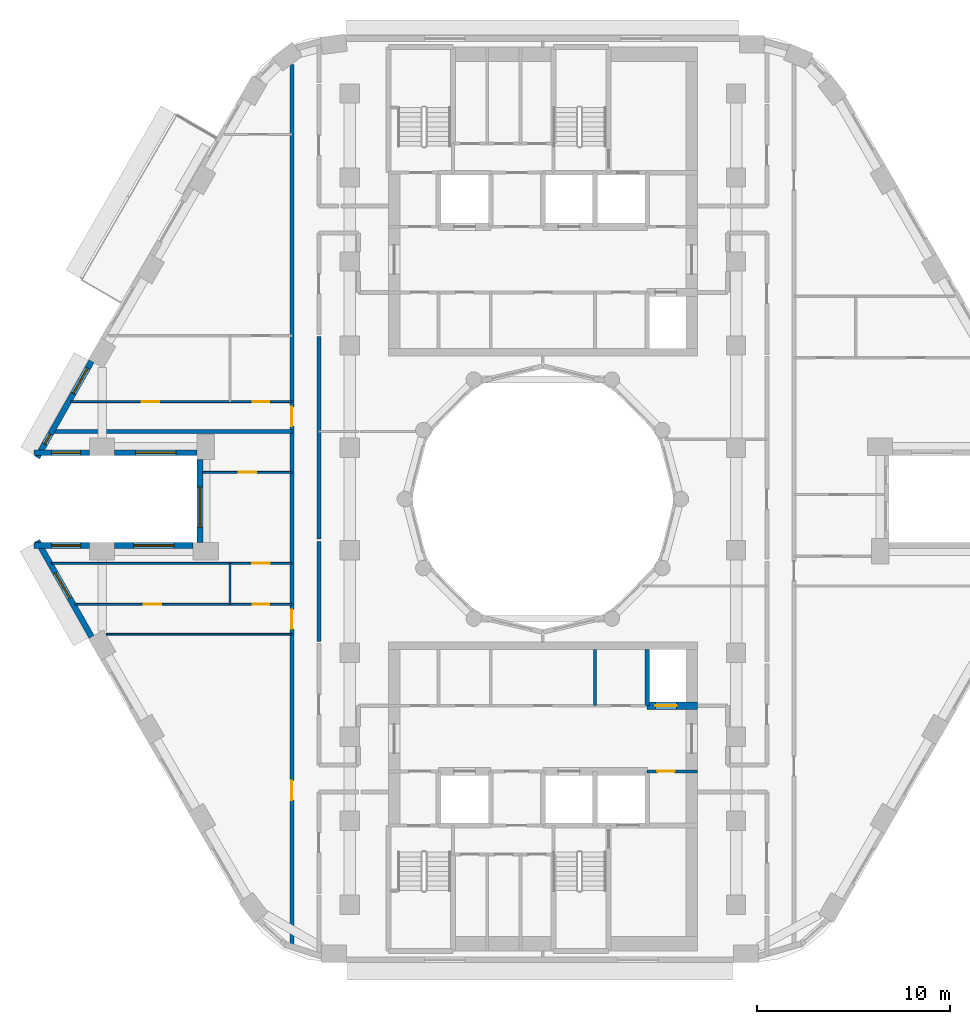
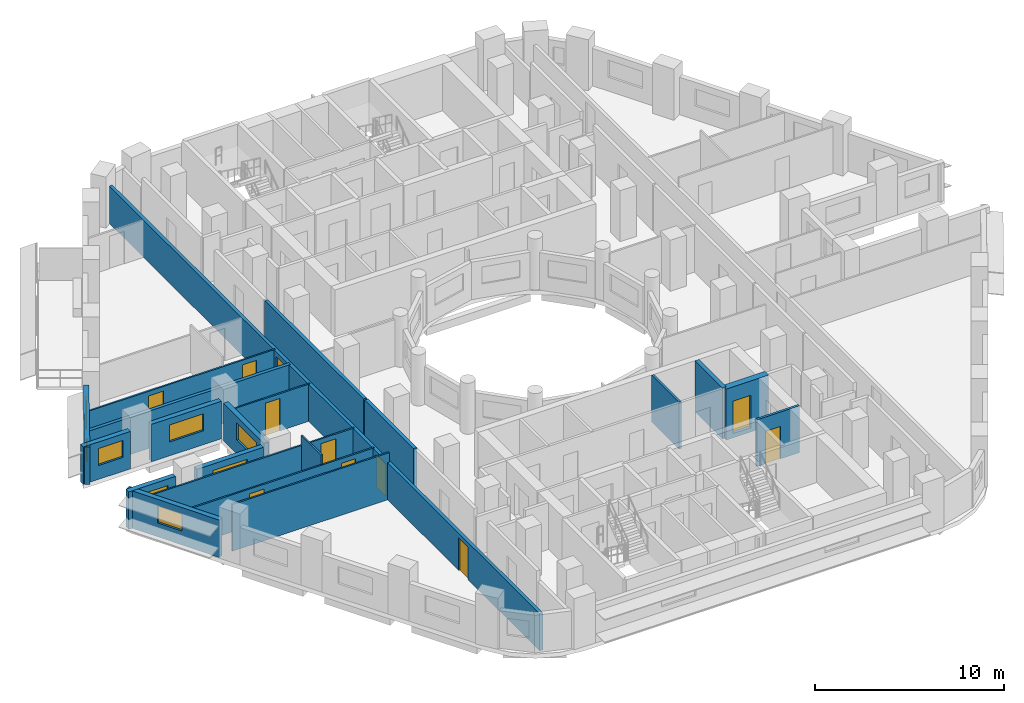
# One storey, part 4 of 13: 21 walls, 11 doors, 8 windows, 19 openings.
"""IFC4 building model written with IfcOpenShell, lengths in metres."""

import ifcopenshell
import ifcopenshell.guid

model = None  # the IFC model being written
_history = None  # IfcOwnerHistory: only IFC2X3 demands one
_inside = {}  # id of a spatial element -> (the spatial element, [elements in it])
_under = {}  # id of a project, library or spatial element -> (it, [spatial elements below it])
_declared = {}  # id of a project -> (the project, [libraries it declares])
_typed = {}  # id of a type object -> (the type object, [elements of that type])
_made_of = {}  # id of a material, layer set ... -> (it, [elements and type objects made of it])


def new_model(schema):
    """Start an empty IFC model of exactly this schema.

    Asked for "IFC4X3", IfcOpenShell would pick the latest addendum, in which some entities
    have other attributes; the version numbers below select the first issue.
    IFC2X3 requires an IfcOwnerHistory on every rooted entity: one is made here for all.
    """
    global model, _history
    if schema == "IFC4X3":
        model = ifcopenshell.file(schema_version=(4, 3, 0, 0))
    else:
        model = ifcopenshell.file(schema=schema)
    _inside.clear()
    _under.clear()
    _declared.clear()
    _typed.clear()
    _made_of.clear()
    _history = None
    if model.schema == "IFC2X3":
        org = make("IfcOrganization", Name="unknown")
        user = make(
            "IfcPersonAndOrganization",
            ThePerson=make("IfcPerson", FamilyName="unknown"),
            TheOrganization=org,
        )
        app = make(
            "IfcApplication",
            ApplicationDeveloper=org,
            Version="unknown",
            ApplicationFullName="unknown",
            ApplicationIdentifier="unknown",
        )
        _history = make(
            "IfcOwnerHistory",
            OwningUser=user,
            OwningApplication=app,
            ChangeAction="ADDED",
            CreationDate=0,
        )
    return model


def make(cls, **values):
    """One entity of the class cls with the attributes given. An attribute that is None is left unset."""
    return model.create_entity(
        cls, **{name: value for name, value in values.items() if value is not None}
    )


def rooted(cls, **values):
    """An entity with a GlobalId (a new one), such as an element, a storey or a relation."""
    return make(cls, GlobalId=ifcopenshell.guid.new(), OwnerHistory=_history, **values)


def si_unit(unit_type, name, prefix=None):
    """IfcSIUnit, for example si_unit("LENGTHUNIT", "METRE", prefix="MILLI")."""
    return make("IfcSIUnit", UnitType=unit_type, Prefix=prefix, Name=name)


def assignment(units):
    """IfcUnitAssignment: the units of a project."""
    return None if units is None else make("IfcUnitAssignment", Units=units)


def point(xyz):
    """IfcCartesianPoint."""
    return None if xyz is None else make("IfcCartesianPoint", Coordinates=xyz)


def direction(xyz):
    """IfcDirection."""
    return None if xyz is None else make("IfcDirection", DirectionRatios=xyz)


def frame(location, z_axis=None, x_axis=None):
    """IfcAxis2Placement3D, a coordinate frame: its origin and axes. An axis left out is left unset."""
    return make(
        "IfcAxis2Placement3D",
        Location=point(location),
        Axis=direction(z_axis),
        RefDirection=direction(x_axis),
    )


def frame_2d(location, x_axis=None):
    """IfcAxis2Placement2D, a coordinate frame in the plane: its origin and x axis."""
    return make(
        "IfcAxis2Placement2D", Location=point(location), RefDirection=direction(x_axis)
    )


def origin():
    """The frame at (0, 0, 0) with its axes left unset."""
    return frame((0.0, 0.0, 0.0))


def place(relative_to, where):
    """IfcLocalPlacement: puts the frame where relative to a parent placement (None: the world)."""
    return make(
        "IfcLocalPlacement", PlacementRelTo=relative_to, RelativePlacement=where
    )


def context(
    kind, dimensions, precision=None, world=None, true_north=None, identifier=None
):
    """IfcGeometricRepresentationContext, for example the 3D "Model" context."""
    return make(
        "IfcGeometricRepresentationContext",
        ContextIdentifier=identifier,
        ContextType=kind,
        CoordinateSpaceDimension=dimensions,
        Precision=precision,
        WorldCoordinateSystem=world,
        TrueNorth=true_north,
    )


def subcontext(parent, identifier, kind, view, scale=None):
    """IfcGeometricRepresentationSubContext, for example "Body" below "Model"."""
    return make(
        "IfcGeometricRepresentationSubContext",
        ContextIdentifier=identifier,
        ContextType=kind,
        ParentContext=parent,
        TargetScale=scale,
        TargetView=view,
    )


def project(units=None, contexts=None):
    """IfcProject with its units and contexts."""
    return rooted(
        "IfcProject",
        Name="project",
        RepresentationContexts=contexts,
        UnitsInContext=assignment(units),
    )


def spatial(cls, under=None, at=None, **own):
    """A site, building, storey or space (cls), placed at a placement, below another one or the project."""
    s = rooted(cls, ObjectPlacement=at, **own)
    if under is not None:
        _under.setdefault(under.id(), (under, []))[1].append(s)
    return s


def profile(cls, at=None, kind="AREA", **sizes):
    """A parametric profile (cls). Its sizes go by their IFC names, for example OverallWidth=200.0."""
    return make(cls, ProfileType=kind, Position=at, **sizes)


def rectangle(**sizes):
    """IfcRectangleProfileDef."""
    return profile("IfcRectangleProfileDef", **sizes)


def extrude(swept, where, along, depth):
    """IfcExtrudedAreaSolid: the profile swept, set in the frame where, extruded along a direction by depth."""
    return make(
        "IfcExtrudedAreaSolid",
        SweptArea=swept,
        Position=where,
        ExtrudedDirection=direction(along),
        Depth=depth,
    )


def shape(context_of_items, identifier, shape_type, items):
    """IfcShapeRepresentation: the items that make up one representation, for example the "Body"."""
    return make(
        "IfcShapeRepresentation",
        ContextOfItems=context_of_items,
        RepresentationIdentifier=identifier,
        RepresentationType=shape_type,
        Items=items,
    )


def material(Name=None, Category=None):
    """IfcMaterial."""
    return make("IfcMaterial", Name=Name, Category=Category)


def layer(
    of_material, thickness, ventilated=None, Name=None, Category=None, Priority=None
):
    """IfcMaterialLayer: one layer of a wall or slab, of a material (None: an air gap)."""
    return make(
        "IfcMaterialLayer",
        Material=of_material,
        LayerThickness=thickness,
        IsVentilated=ventilated,
        Name=Name,
        Category=Category,
        Priority=Priority,
    )


def layer_set(layers, Name=None):
    """IfcMaterialLayerSet."""
    return make("IfcMaterialLayerSet", MaterialLayers=layers, LayerSetName=Name)


def made_of(thing, what):
    """Note that an element or type object is made of a material, layer set ...; save() writes the relation."""
    if what is not None:
        _made_of.setdefault(what.id(), (what, []))[1].append(thing)
    return thing


def type_object(cls, material=None, **own):
    """A type object (cls), such as IfcWallType, which elements share."""
    return made_of(rooted(cls, **own), material)


def element(
    cls,
    number,
    at=None,
    inside=None,
    cuts=None,
    type_object=None,
    material=None,
    context=None,
    identifier="Body",
    shape_type=None,
    held_by="IfcProductDefinitionShape",
    body=None,
    shapes=None,
    **own,
):
    """One element of the class cls, such as IfcWall. Its Tag is "e" and its number.

    at: its placement. inside: the storey or other place that contains it. cuts: it is an
    opening in that element (IfcRelVoidsElement). A single representation is given by context,
    identifier, shape_type and body (its items); several are given by shapes. held_by: the class
    of the entity that holds the representations. save() writes the other relations.
    """
    e = rooted(cls, Tag="e%d" % number, ObjectPlacement=at, **own)
    if body is not None:
        shapes = [shape(context, identifier, shape_type, body)]
    if shapes is not None:
        e.Representation = make(held_by, Representations=shapes)
    if inside is not None:
        _inside.setdefault(inside.id(), (inside, []))[1].append(e)
    if cuts is not None:
        rooted(
            "IfcRelVoidsElement", RelatingBuildingElement=cuts, RelatedOpeningElement=e
        )
    if type_object is not None:
        _typed.setdefault(type_object.id(), (type_object, []))[1].append(e)
    return made_of(e, material)


def fill(opening, filler):
    """IfcRelFillsElement: the door or window that sits in an opening."""
    return rooted(
        "IfcRelFillsElement",
        RelatingOpeningElement=opening,
        RelatedBuildingElement=filler,
    )


def aggregate(whole, parts):
    """IfcRelAggregates: a whole, such as a stair, and the parts it consists of."""
    return rooted("IfcRelAggregates", RelatingObject=whole, RelatedObjects=parts)


def save(model, path):
    """Write the relations noted so far, then the file.

    IfcRelAggregates (storeys below a building ...), IfcRelContainedInSpatialStructure (elements
    in a storey), IfcRelDefinesByType, IfcRelAssociatesMaterial and IfcRelDeclares: one each for
    every whole, place, type object, material and project.
    """
    for whole, parts in _under.values():
        aggregate(whole, parts)
    for where, things in _inside.values():
        rooted(
            "IfcRelContainedInSpatialStructure",
            RelatedElements=things,
            RelatingStructure=where,
        )
    for kind, things in _typed.values():
        rooted("IfcRelDefinesByType", RelatedObjects=things, RelatingType=kind)
    for what, things in _made_of.values():
        rooted("IfcRelAssociatesMaterial", RelatedObjects=things, RelatingMaterial=what)
    for by, libraries in _declared.values():
        rooted("IfcRelDeclares", RelatingContext=by, RelatedDefinitions=libraries)
    model.write(path)


model = new_model("IFC4")

# Units and contexts
model_context = context("Model", 3, precision=1e-05, world=origin(), true_north=direction((0.0, 1.0)))
body_context = subcontext(model_context, "Body", "Model", "MODEL_VIEW")
ifc_project = project(units=[si_unit("LENGTHUNIT", "METRE"), si_unit("AREAUNIT", "SQUARE_METRE"), si_unit("VOLUMEUNIT", "CUBIC_METRE"), si_unit("PLANEANGLEUNIT", "RADIAN"), si_unit("MASSUNIT", "GRAM", prefix="KILO")], contexts=[model_context])

# Site, building, storey
site_placement = place(None, origin())
site = spatial("IfcSite", under=ifc_project, at=site_placement, CompositionType="ELEMENT")
building_placement = place(site_placement, origin())
building = spatial("IfcBuilding", under=site, at=building_placement, Name="Nakaniwa Court", CompositionType="ELEMENT")
storey_placement = place(building_placement, frame((0.0, 0.0, 140.39990234375)))
storey = spatial("IfcBuildingStorey", under=building, at=storey_placement, Name="L36", CompositionType="ELEMENT", Elevation=140.39990234375)

# Walls
ifc_material_1 = material(Name="Acoustic double stud partition")
ifc_layer_1 = layer(ifc_material_1, 0.199951171875)
ifc_layer_set_1 = layer_set([ifc_layer_1], Name="Acoustic double stud partition")
wall_type_1 = type_object("IfcWallType", Name="Acoustic double stud partition 200", PredefinedType="PARTITIONING", material=ifc_layer_set_1)
wall_1_placement = place(storey_placement, frame((68.39990234375, 72.627197265625, 0.0), z_axis=(0.0, 0.0, 1.0), x_axis=(0.0, 1.0, 0.0)))
element("IfcWall", 1, at=wall_1_placement, inside=storey, type_object=wall_type_1, Name="Partition PW-103", PredefinedType="PARTITIONING", context=body_context, shape_type="SweptSolid", body=[
    extrude(rectangle(XDim=5.185546875, YDim=0.199951171875, at=frame_2d((2.5927734375, 0.0))), origin(), (0.0, 0.0, 1.0), 3.025146484375),
])
wall_2_placement = place(storey_placement, frame((68.39990234375, 77.92724609375, 0.0), z_axis=(0.0, 0.0, 1.0), x_axis=(0.0, 1.0, 0.0)))
element("IfcWall", 2, at=wall_2_placement, inside=storey, type_object=wall_type_1, Name="Partition PW-104", PredefinedType="PARTITIONING", context=body_context, shape_type="SweptSolid", body=[
    extrude(rectangle(XDim=10.485595703125, YDim=0.199951171875, at=frame_2d((5.24267578125, 0.0))), origin(), (0.0, 0.0, 1.0), 3.025146484375),
])

# Wall, openings, doors
wall_3_placement = place(storey_placement, frame((67.0, 56.833251953125, 0.0), z_axis=(0.0, 0.0, 1.0), x_axis=(0.0, 1.0, 0.0)))
wall_3 = element("IfcWall", 3, at=wall_3_placement, inside=storey, type_object=wall_type_1, Name="Partition PW-108", PredefinedType="PARTITIONING", context=body_context, shape_type="SweptSolid", body=[
    extrude(rectangle(XDim=45.660888671875, YDim=0.199951171875, at=frame_2d((22.83056640625, 0.0))), origin(), (0.0, 0.0, 1.0), 2.405029296875),
])
opening_1_placement = place(wall_3_placement, frame((7.583984375, 0.0, 0.0)))
opening_1 = element("IfcOpeningElement", 4, at=opening_1_placement, cuts=wall_3, Name="Opening D-02-06", PredefinedType="OPENING", context=body_context, shape_type="SweptSolid", body=[
    extrude(rectangle(XDim=1.0, YDim=2.10009765625, at=frame_2d((0.5, 1.050048828125))), frame((0.0, 0.10986328125, 0.0), z_axis=(0.0, -1.0, 0.0), x_axis=(1.0, 0.0, 0.0)), (0.0, 0.0, 1.0), 0.219970703125),
])
opening_2_placement = place(wall_3_placement, frame((16.44189453125, 0.0, 0.0)))
opening_2 = element("IfcOpeningElement", 5, at=opening_2_placement, cuts=wall_3, Name="Opening D-01-02", PredefinedType="OPENING", context=body_context, shape_type="SweptSolid", body=[
    extrude(rectangle(XDim=1.0, YDim=2.10009765625, at=frame_2d((0.5, 1.050048828125))), frame((0.0, 0.10986328125, 0.0), z_axis=(0.0, -1.0, 0.0), x_axis=(1.0, 0.0, 0.0)), (0.0, 0.0, 1.0), 0.219970703125),
])
opening_3_placement = place(wall_3_placement, frame((26.94189453125, 0.0, 0.0)))
opening_3 = element("IfcOpeningElement", 6, at=opening_3_placement, cuts=wall_3, Name="Opening D-01-03", PredefinedType="OPENING", context=body_context, shape_type="SweptSolid", body=[
    extrude(rectangle(XDim=1.0, YDim=2.10009765625, at=frame_2d((0.5, 1.050048828125))), frame((0.0, 0.10986328125, 0.0), z_axis=(0.0, -1.0, 0.0), x_axis=(1.0, 0.0, 0.0)), (0.0, 0.0, 1.0), 0.219970703125),
])
ifc_material_2 = material(Name="Solid core timber door set, black veneer", Category="wood")
door_type_1 = type_object("IfcDoorType", Name="Flat entrance door 1000", OperationType="NOTDEFINED", PredefinedType="DOOR", material=ifc_material_2)
door_1_placement = place(opening_2_placement, origin())
door_1 = element("IfcDoor", 7, at=door_1_placement, inside=storey, type_object=door_type_1, Name="Door D-01-02 L36-039", OperationType="SINGLE_SWING_RIGHT", OverallHeight=2.10009765625, OverallWidth=1.0, PredefinedType="DOOR", context=body_context, shape_type="SweptSolid", body=[
    extrude(rectangle(XDim=1.0, YDim=2.10009765625, at=frame_2d((0.5, 1.050048828125))), frame((0.0, 0.02490234375, 0.0), z_axis=(0.0, -1.0, 0.0), x_axis=(1.0, 0.0, 0.0)), (0.0, 0.0, 1.0), 0.050048828125),
])
fill(opening_2, door_1)
door_2_placement = place(opening_3_placement, origin())
door_2 = element("IfcDoor", 8, at=door_2_placement, inside=storey, type_object=door_type_1, Name="Door D-01-03 L36-045", OperationType="SINGLE_SWING_RIGHT", OverallHeight=2.10009765625, OverallWidth=1.0, PredefinedType="DOOR", context=body_context, shape_type="SweptSolid", body=[
    extrude(rectangle(XDim=1.0, YDim=2.10009765625, at=frame_2d((0.5, 1.050048828125))), frame((0.0, 0.02490234375, 0.0), z_axis=(0.0, -1.0, 0.0), x_axis=(1.0, 0.0, 0.0)), (0.0, 0.0, 1.0), 0.050048828125),
])
fill(opening_3, door_2)
door_type_2 = type_object("IfcDoorType", Name="Internal door 1000", OperationType="NOTDEFINED", PredefinedType="DOOR", material=ifc_material_2)
door_3_placement = place(opening_1_placement, origin())
door_3 = element("IfcDoor", 9, at=door_3_placement, inside=storey, type_object=door_type_2, Name="Door D-02-06 L36-037", OperationType="SINGLE_SWING_RIGHT", OverallHeight=2.10009765625, OverallWidth=1.0, PredefinedType="DOOR", context=body_context, shape_type="SweptSolid", body=[
    extrude(rectangle(XDim=1.0, YDim=2.10009765625, at=frame_2d((0.5, 1.050048828125))), frame((0.0, 0.02490234375, 0.0), z_axis=(0.0, -1.0, 0.0), x_axis=(1.0, 0.0, 0.0)), (0.0, 0.0, 1.0), 0.050048828125),
])
fill(opening_1, door_3)

# Wall
wall_4_placement = place(storey_placement, frame((54.654296875, 83.5, 0.0), z_axis=(0.0, 0.0, 1.0), x_axis=(1.0, 0.0, 0.0)))
element("IfcWall", 10, at=wall_4_placement, inside=storey, type_object=wall_type_1, Name="Partition PW-132", PredefinedType="PARTITIONING", context=body_context, shape_type="SweptSolid", body=[
    extrude(rectangle(XDim=12.3447265625, YDim=0.199951171875, at=frame_2d((6.17236328125, 0.0))), origin(), (0.0, 0.0, 1.0), 2.405029296875),
])

# Wall, openings, windows
ifc_material_3 = material(Name="Charcoal ceramic cladding")
ifc_layer_2 = layer(ifc_material_3, 0.02, Name="Ceramic cladding")
ifc_material_4 = material(Name="Ventilated air cavity")
ifc_layer_3 = layer(ifc_material_4, 0.04, ventilated=True, Name="Ventilated cavity")
ifc_material_5 = material(Name="Mineral wool insulation")
ifc_layer_4 = layer(ifc_material_5, 0.1, Name="Insulation")
ifc_material_6 = material(Name="Cement bonded sheathing board")
ifc_layer_5 = layer(ifc_material_6, 0.012, Name="Sheathing")
ifc_material_7 = material(Name="Cold-formed galvanised stud frame with mineral wool infill")
ifc_layer_6 = layer(ifc_material_7, 0.1, Name="Stud frame")
ifc_material_8 = material(Name="Fire-rated gypsum plasterboard lining")
ifc_layer_7 = layer(ifc_material_8, 0.028, Name="Lining")
ifc_layer_set_2 = layer_set([ifc_layer_2, ifc_layer_3, ifc_layer_4, ifc_layer_5, ifc_layer_6, ifc_layer_7], Name="Charcoal ceramic faced external wall system")
wall_type_2 = type_object("IfcWallType", Name="Black ceramic faced external wall 300", PredefinedType="SOLIDWALL", material=ifc_layer_set_2)
wall_5_placement = place(storey_placement, frame((56.63427734375, 87.13720703125, 0.0), z_axis=(0.0, 0.0, 1.0), x_axis=(-0.492498306264, -0.87031340236, 0.0)))
wall_5 = element("IfcWall", 11, at=wall_5_placement, inside=storey, type_object=wall_type_2, Name="L36 external wall 14", PredefinedType="SOLIDWALL", context=body_context, shape_type="SweptSolid", body=[
    extrude(rectangle(XDim=5.7265625, YDim=0.300048828125, at=frame_2d((2.86328125, 0.0))), origin(), (0.0, 0.0, 1.0), 2.425048828125),
])
opening_4_placement = place(wall_5_placement, frame((0.413818359375, 0.0, 0.89990234375)))
opening_4 = element("IfcOpeningElement", 12, at=opening_4_placement, cuts=wall_5, Name="Opening W5.15", PredefinedType="OPENING", context=body_context, shape_type="SweptSolid", body=[
    extrude(rectangle(XDim=1.5, YDim=1.10009765625, at=frame_2d((0.75, 0.550048828125))), frame((0.0, 0.159912109375, 0.0), z_axis=(0.0, -1.0, 0.0), x_axis=(1.0, 0.0, 0.0)), (0.0, 0.0, 1.0), 0.320068359375),
])
opening_5_placement = place(wall_5_placement, frame((4.32861328125, 0.0, 0.89990234375)))
opening_5 = element("IfcOpeningElement", 13, at=opening_5_placement, cuts=wall_5, Name="Opening W8.16", PredefinedType="OPENING", context=body_context, shape_type="SweptSolid", body=[
    extrude(rectangle(XDim=0.60009765625, YDim=1.10009765625, at=frame_2d((0.300048828125, 0.550048828125))), frame((0.0, 0.159912109375, 0.0), z_axis=(0.0, -1.0, 0.0), x_axis=(1.0, 0.0, 0.0)), (0.0, 0.0, 1.0), 0.320068359375),
])
ifc_material_9 = material(Name="Black anodised aluminium frame with dark low-E laminated double glazing", Category="aluminium")
window_type_1 = type_object("IfcWindowType", Name="Dark glass window 1500x1100 sill 900", PartitioningType="SINGLE_PANEL", PredefinedType="WINDOW", material=ifc_material_9)
window_1_placement = place(opening_4_placement, origin())
window_1 = element("IfcWindow", 14, at=window_1_placement, inside=storey, type_object=window_type_1, Name="L36 habitable room window 14-0", OverallHeight=1.10009765625, OverallWidth=1.5, PartitioningType="SINGLE_PANEL", PredefinedType="WINDOW", context=body_context, shape_type="SweptSolid", body=[
    extrude(rectangle(XDim=1.5, YDim=1.10009765625, at=frame_2d((0.75, 0.550048828125))), frame((0.0, 0.030029296875, 0.0), z_axis=(0.0, -1.0, 0.0), x_axis=(1.0, 0.0, 0.0)), (0.0, 0.0, 1.0), 0.06005859375),
])
fill(opening_4, window_1)
window_type_2 = type_object("IfcWindowType", Name="Dark glass window 600x1100 sill 900", PartitioningType="SINGLE_PANEL", PredefinedType="WINDOW", material=ifc_material_9)
window_2_placement = place(opening_5_placement, origin())
window_2 = element("IfcWindow", 15, at=window_2_placement, inside=storey, type_object=window_type_2, Name="L36 habitable room window 14-2", OverallHeight=1.10009765625, OverallWidth=0.60009765625, PartitioningType="SINGLE_PANEL", PredefinedType="WINDOW", context=body_context, shape_type="SweptSolid", body=[
    extrude(rectangle(XDim=0.60009765625, YDim=1.10009765625, at=frame_2d((0.300048828125, 0.550048828125))), frame((0.0, 0.030029296875, 0.0), z_axis=(0.0, -1.0, 0.0), x_axis=(1.0, 0.0, 0.0)), (0.0, 0.0, 1.0), 0.06005859375),
])
fill(opening_5, window_2)

# Wall, opening, window
wall_6_placement = place(storey_placement, frame((53.643310546875, 82.39990234375, 0.0), z_axis=(0.0, 0.0, 1.0), x_axis=(1.0, 0.0, 0.0)))
wall_6 = element("IfcWall", 16, at=wall_6_placement, inside=storey, type_object=wall_type_2, Name="L36 external wall 15", PredefinedType="SOLIDWALL", context=body_context, shape_type="SweptSolid", body=[
    extrude(rectangle(XDim=2.8876953125, YDim=0.300048828125, at=frame_2d((1.44384765625, 0.0))), origin(), (0.0, 0.0, 1.0), 2.425048828125),
])
opening_6_placement = place(wall_6_placement, frame((0.9189453125, 0.0, 0.89990234375)))
opening_6 = element("IfcOpeningElement", 17, at=opening_6_placement, cuts=wall_6, Name="Opening W5.17", PredefinedType="OPENING", context=body_context, shape_type="SweptSolid", body=[
    extrude(rectangle(XDim=1.5, YDim=1.10009765625, at=frame_2d((0.75, 0.550048828125))), frame((0.0, 0.159912109375, 0.0), z_axis=(0.0, -1.0, 0.0), x_axis=(1.0, 0.0, 0.0)), (0.0, 0.0, 1.0), 0.320068359375),
])
window_3_placement = place(opening_6_placement, origin())
window_3 = element("IfcWindow", 18, at=window_3_placement, inside=storey, type_object=window_type_1, Name="L36 habitable room window 15-0", OverallHeight=1.10009765625, OverallWidth=1.5, PartitioningType="SINGLE_PANEL", PredefinedType="WINDOW", context=body_context, shape_type="SweptSolid", body=[
    extrude(rectangle(XDim=1.5, YDim=1.10009765625, at=frame_2d((0.75, 0.550048828125))), frame((0.0, 0.030029296875, 0.0), z_axis=(0.0, -1.0, 0.0), x_axis=(1.0, 0.0, 0.0)), (0.0, 0.0, 1.0), 0.06005859375),
])
fill(opening_6, window_3)

wall_7_placement = place(storey_placement, frame((57.822998046875, 82.39990234375, 0.0), z_axis=(0.0, 0.0, 1.0), x_axis=(1.0, 0.0, 0.0)))
wall_7 = element("IfcWall", 19, at=wall_7_placement, inside=storey, type_object=wall_type_2, Name="L36 external wall 16", PredefinedType="SOLIDWALL", context=body_context, shape_type="SweptSolid", body=[
    extrude(rectangle(XDim=4.272705078125, YDim=0.300048828125, at=frame_2d((2.13623046875, 0.0))), origin(), (0.0, 0.0, 1.0), 2.425048828125),
])
opening_7_placement = place(wall_7_placement, frame((1.086181640625, 0.0, 0.89990234375)))
opening_7 = element("IfcOpeningElement", 20, at=opening_7_placement, cuts=wall_7, Name="Opening W7.18", PredefinedType="OPENING", context=body_context, shape_type="SweptSolid", body=[
    extrude(rectangle(XDim=2.10009765625, YDim=1.10009765625, at=frame_2d((1.050048828125, 0.550048828125))), frame((0.0, 0.159912109375, 0.0), z_axis=(0.0, -1.0, 0.0), x_axis=(1.0, 0.0, 0.0)), (0.0, 0.0, 1.0), 0.320068359375),
])
window_type_3 = type_object("IfcWindowType", Name="Dark glass window 2100x1100 sill 900", PartitioningType="SINGLE_PANEL", PredefinedType="WINDOW", material=ifc_material_9)
window_4_placement = place(opening_7_placement, origin())
window_4 = element("IfcWindow", 21, at=window_4_placement, inside=storey, type_object=window_type_3, Name="L36 habitable room window 16-0", OverallHeight=1.10009765625, OverallWidth=2.10009765625, PartitioningType="SINGLE_PANEL", PredefinedType="WINDOW", context=body_context, shape_type="SweptSolid", body=[
    extrude(rectangle(XDim=2.10009765625, YDim=1.10009765625, at=frame_2d((1.050048828125, 0.550048828125))), frame((0.0, 0.030029296875, 0.0), z_axis=(0.0, -1.0, 0.0), x_axis=(1.0, 0.0, 0.0)), (0.0, 0.0, 1.0), 0.06005859375),
])
fill(opening_7, window_4)

wall_8_placement = place(storey_placement, frame((62.24169921875, 82.053955078125, 0.0), z_axis=(0.0, 0.0, 1.0), x_axis=(0.0, -1.0, 0.0)))
wall_8 = element("IfcWall", 22, at=wall_8_placement, inside=storey, type_object=wall_type_2, Name="L36 external wall 17", PredefinedType="SOLIDWALL", context=body_context, shape_type="SweptSolid", body=[
    extrude(rectangle(XDim=4.307861328125, YDim=0.300048828125, at=frame_2d((2.15380859375, 0.0))), origin(), (0.0, 0.0, 1.0), 2.425048828125),
])
opening_8_placement = place(wall_8_placement, frame((1.4287109375, 0.0, 0.89990234375)))
opening_8 = element("IfcOpeningElement", 23, at=opening_8_placement, cuts=wall_8, Name="Opening W7.19", PredefinedType="OPENING", context=body_context, shape_type="SweptSolid", body=[
    extrude(rectangle(XDim=2.10009765625, YDim=1.10009765625, at=frame_2d((1.050048828125, 0.550048828125))), frame((0.0, 0.159912109375, 0.0), z_axis=(0.0, -1.0, 0.0), x_axis=(1.0, 0.0, 0.0)), (0.0, 0.0, 1.0), 0.320068359375),
])
window_5_placement = place(opening_8_placement, origin())
window_5 = element("IfcWindow", 24, at=window_5_placement, inside=storey, type_object=window_type_3, Name="L36 living window 17-1", OverallHeight=1.10009765625, OverallWidth=2.10009765625, PartitioningType="SINGLE_PANEL", PredefinedType="WINDOW", context=body_context, shape_type="SweptSolid", body=[
    extrude(rectangle(XDim=2.10009765625, YDim=1.10009765625, at=frame_2d((1.050048828125, 0.550048828125))), frame((0.0, 0.030029296875, 0.0), z_axis=(0.0, -1.0, 0.0), x_axis=(1.0, 0.0, 0.0)), (0.0, 0.0, 1.0), 0.06005859375),
])
fill(opening_8, window_5)

wall_9_placement = place(storey_placement, frame((61.8955078125, 77.60009765625, 0.0), z_axis=(0.0, 0.0, 1.0), x_axis=(-1.0, 0.0, 0.0)))
wall_9 = element("IfcWall", 25, at=wall_9_placement, inside=storey, type_object=wall_type_2, Name="L36 external wall 18", PredefinedType="SOLIDWALL", context=body_context, shape_type="SweptSolid", body=[
    extrude(rectangle(XDim=4.072509765625, YDim=0.300048828125, at=frame_2d((2.0361328125, 0.0))), origin(), (0.0, 0.0, 1.0), 2.425048828125),
])
opening_9_placement = place(wall_9_placement, frame((0.986083984375, 0.0, 0.89990234375)))
opening_9 = element("IfcOpeningElement", 26, at=opening_9_placement, cuts=wall_9, Name="Opening W7.20", PredefinedType="OPENING", context=body_context, shape_type="SweptSolid", body=[
    extrude(rectangle(XDim=2.10009765625, YDim=1.10009765625, at=frame_2d((1.050048828125, 0.550048828125))), frame((0.0, 0.159912109375, 0.0), z_axis=(0.0, -1.0, 0.0), x_axis=(1.0, 0.0, 0.0)), (0.0, 0.0, 1.0), 0.320068359375),
])
window_6_placement = place(opening_9_placement, origin())
window_6 = element("IfcWindow", 27, at=window_6_placement, inside=storey, type_object=window_type_3, Name="L36 living window 18-0", OverallHeight=1.10009765625, OverallWidth=2.10009765625, PartitioningType="SINGLE_PANEL", PredefinedType="WINDOW", context=body_context, shape_type="SweptSolid", body=[
    extrude(rectangle(XDim=2.10009765625, YDim=1.10009765625, at=frame_2d((1.050048828125, 0.550048828125))), frame((0.0, 0.030029296875, 0.0), z_axis=(0.0, -1.0, 0.0), x_axis=(1.0, 0.0, 0.0)), (0.0, 0.0, 1.0), 0.06005859375),
])
fill(opening_9, window_6)

wall_10_placement = place(storey_placement, frame((56.531005859375, 77.60009765625, 0.0), z_axis=(0.0, 0.0, 1.0), x_axis=(-1.0, 0.0, 0.0)))
wall_10 = element("IfcWall", 28, at=wall_10_placement, inside=storey, type_object=wall_type_2, Name="L36 external wall 19", PredefinedType="SOLIDWALL", context=body_context, shape_type="SweptSolid", body=[
    extrude(rectangle(XDim=2.8876953125, YDim=0.300048828125, at=frame_2d((1.44384765625, 0.0))), origin(), (0.0, 0.0, 1.0), 2.425048828125),
])
opening_10_placement = place(wall_10_placement, frame((0.468994140625, 0.0, 0.89990234375)))
opening_10 = element("IfcOpeningElement", 29, at=opening_10_placement, cuts=wall_10, Name="Opening W5.21", PredefinedType="OPENING", context=body_context, shape_type="SweptSolid", body=[
    extrude(rectangle(XDim=1.5, YDim=1.10009765625, at=frame_2d((0.75, 0.550048828125))), frame((0.0, 0.159912109375, 0.0), z_axis=(0.0, -1.0, 0.0), x_axis=(1.0, 0.0, 0.0)), (0.0, 0.0, 1.0), 0.320068359375),
])
window_7_placement = place(opening_10_placement, origin())
window_7 = element("IfcWindow", 30, at=window_7_placement, inside=storey, type_object=window_type_1, Name="L36 living window 19-0", OverallHeight=1.10009765625, OverallWidth=1.5, PartitioningType="SINGLE_PANEL", PredefinedType="WINDOW", context=body_context, shape_type="SweptSolid", body=[
    extrude(rectangle(XDim=1.5, YDim=1.10009765625, at=frame_2d((0.75, 0.550048828125))), frame((0.0, 0.030029296875, 0.0), z_axis=(0.0, -1.0, 0.0), x_axis=(1.0, 0.0, 0.0)), (0.0, 0.0, 1.0), 0.06005859375),
])
fill(opening_10, window_7)

wall_11_placement = place(storey_placement, frame((53.81396484375, 77.8466796875, 0.0), z_axis=(0.0, 0.0, 1.0), x_axis=(0.492498306264, -0.87031340236, 0.0)))
wall_11 = element("IfcWall", 31, at=wall_11_placement, inside=storey, type_object=wall_type_2, Name="L36 external wall 20", PredefinedType="SOLIDWALL", context=body_context, shape_type="SweptSolid", body=[
    extrude(rectangle(XDim=5.7265625, YDim=0.300048828125, at=frame_2d((2.86328125, 0.0))), origin(), (0.0, 0.0, 1.0), 2.425048828125),
])
opening_11_placement = place(wall_11_placement, frame((1.916259765625, 0.0, 0.89990234375)))
opening_11 = element("IfcOpeningElement", 32, at=opening_11_placement, cuts=wall_11, Name="Opening W5.22", PredefinedType="OPENING", context=body_context, shape_type="SweptSolid", body=[
    extrude(rectangle(XDim=1.5, YDim=1.10009765625, at=frame_2d((0.75, 0.550048828125))), frame((0.0, 0.159912109375, 0.0), z_axis=(0.0, -1.0, 0.0), x_axis=(1.0, 0.0, 0.0)), (0.0, 0.0, 1.0), 0.320068359375),
])
window_8_placement = place(opening_11_placement, origin())
window_8 = element("IfcWindow", 33, at=window_8_placement, inside=storey, type_object=window_type_1, Name="L36 habitable room window 20-1", OverallHeight=1.10009765625, OverallWidth=1.5, PartitioningType="SINGLE_PANEL", PredefinedType="WINDOW", context=body_context, shape_type="SweptSolid", body=[
    extrude(rectangle(XDim=1.5, YDim=1.10009765625, at=frame_2d((0.75, 0.550048828125))), frame((0.0, 0.030029296875, 0.0), z_axis=(0.0, -1.0, 0.0), x_axis=(1.0, 0.0, 0.0)), (0.0, 0.0, 1.0), 0.06005859375),
])
fill(opening_11, window_8)

# Wall
ifc_material_10 = material(Name="Blockwork partition", Category="masonry")
ifc_layer_8 = layer(ifc_material_10, 0.14990234375)
ifc_layer_set_3 = layer_set([ifc_layer_8], Name="Blockwork partition")
wall_type_3 = type_object("IfcWallType", Name="Blockwork partition 150", PredefinedType="PARTITIONING", material=ifc_layer_set_3)
wall_12_placement = place(storey_placement, frame((82.699951171875, 69.300048828125, 0.0), z_axis=(0.0, 0.0, 1.0), x_axis=(0.0, 1.0, 0.0)))
element("IfcWall", 34, at=wall_12_placement, inside=storey, type_object=wall_type_3, Name="Partition PW-044", PredefinedType="PARTITIONING", context=body_context, shape_type="SweptSolid", body=[
    extrude(rectangle(XDim=2.89990234375, YDim=0.14990234375, at=frame_2d((1.449951171875, 0.0))), origin(), (0.0, 0.0, 1.0), 3.025146484375),
])

# Wall, opening, door
wall_13_placement = place(storey_placement, frame((88.0, 65.89990234375, 0.0), z_axis=(0.0, 0.0, 1.0), x_axis=(-1.0, 0.0, 0.0)))
wall_13 = element("IfcWall", 35, at=wall_13_placement, inside=storey, type_object=wall_type_3, Name="Partition PW-047", PredefinedType="PARTITIONING", context=body_context, shape_type="SweptSolid", body=[
    extrude(rectangle(XDim=2.60302734375, YDim=0.14990234375, at=frame_2d((1.301513671875, 0.0))), origin(), (0.0, 0.0, 1.0), 3.025146484375),
])
opening_12_placement = place(wall_13_placement, frame((1.175048828125, 0.0, 0.0)))
opening_12 = element("IfcOpeningElement", 36, at=opening_12_placement, cuts=wall_13, Name="Opening D-05-13", PredefinedType="OPENING", context=body_context, shape_type="SweptSolid", body=[
    extrude(rectangle(XDim=0.89990234375, YDim=2.10009765625, at=frame_2d((0.449951171875, 1.050048828125))), frame((0.0, 0.0849609375, 0.0), z_axis=(0.0, -1.0, 0.0), x_axis=(1.0, 0.0, 0.0)), (0.0, 0.0, 1.0), 0.169921875),
])
ifc_material_11 = material(Name="Fire rated steel door set", Category="steel")
door_type_3 = type_object("IfcDoorType", Name="Service room door 900", OperationType="NOTDEFINED", PredefinedType="DOOR", material=ifc_material_11)
door_4_placement = place(opening_12_placement, origin())
door_4 = element("IfcDoor", 37, at=door_4_placement, inside=storey, type_object=door_type_3, Name="Door D-05-13 L36-020", OperationType="SINGLE_SWING_LEFT", OverallHeight=2.10009765625, OverallWidth=0.89990234375, PredefinedType="DOOR", context=body_context, shape_type="SweptSolid", body=[
    extrude(rectangle(XDim=0.89990234375, YDim=2.10009765625, at=frame_2d((0.449951171875, 1.050048828125))), frame((0.0, 0.02490234375, 0.0), z_axis=(0.0, -1.0, 0.0), x_axis=(1.0, 0.0, 0.0)), (0.0, 0.0, 1.0), 0.050048828125),
])
fill(opening_12, door_4)

ifc_material_12 = material(Name="Concrete C80/100", Category="concrete")
ifc_layer_9 = layer(ifc_material_12, 0.39990234375)
ifc_layer_set_4 = layer_set([ifc_layer_9], Name="Concrete C80/100")
wall_type_4 = type_object("IfcWallType", Name="Concrete core spine wall 400 C80", PredefinedType="SHEAR", material=ifc_layer_set_4)
wall_14_placement = place(storey_placement, frame((85.39990234375, 69.300048828125, -0.27490234375), z_axis=(0.0, 0.0, 1.0), x_axis=(1.0, 0.0, 0.0)))
wall_14 = element("IfcWall", 38, at=wall_14_placement, inside=storey, type_object=wall_type_4, Name="Core wall SW-41", PredefinedType="SHEAR", context=body_context, shape_type="SweptSolid", body=[
    extrude(rectangle(XDim=2.60009765625, YDim=0.39990234375, at=frame_2d((1.300048828125, 0.0))), origin(), (0.0, 0.0, 1.0), 3.300048828125),
])
opening_13_placement = place(wall_14_placement, frame((0.425048828125, 0.0, 0.27490234375)))
opening_13 = element("IfcOpeningElement", 39, at=opening_13_placement, cuts=wall_14, Name="Opening LD05", PredefinedType="OPENING", context=body_context, shape_type="SweptSolid", body=[
    extrude(rectangle(XDim=1.10009765625, YDim=2.10009765625, at=frame_2d((0.550048828125, 1.050048828125))), frame((0.0, 0.2099609375, 0.0), z_axis=(0.0, -1.0, 0.0), x_axis=(1.0, 0.0, 0.0)), (0.0, 0.0, 1.0), 0.419921875),
])
ifc_material_13 = material(Name="Stainless steel sliding lift landing door", Category="steel")
door_type_4 = type_object("IfcDoorType", Name="Lift landing door 1100", OperationType="NOTDEFINED", PredefinedType="DOOR", material=ifc_material_13)
door_5_placement = place(opening_13_placement, origin())
door_5 = element("IfcDoor", 40, at=door_5_placement, inside=storey, type_object=door_type_4, Name="Lift landing door LD05 L36-005", OperationType="SLIDING_TO_LEFT", OverallHeight=2.10009765625, OverallWidth=1.10009765625, PredefinedType="DOOR", context=body_context, shape_type="SweptSolid", body=[
    extrude(rectangle(XDim=1.10009765625, YDim=2.10009765625, at=frame_2d((0.550048828125, 1.050048828125))), frame((0.0, 0.02490234375, 0.0), z_axis=(0.0, -1.0, 0.0), x_axis=(1.0, 0.0, 0.0)), (0.0, 0.0, 1.0), 0.050048828125),
])
fill(opening_13, door_5)

# Walls
ifc_layer_10 = layer(ifc_material_12, 0.25)
ifc_layer_set_5 = layer_set([ifc_layer_10], Name="Concrete C80/100")
wall_type_5 = type_object("IfcWallType", Name="Concrete shaft wall 250 C80", PredefinedType="SHEAR", material=ifc_layer_set_5)
wall_15_placement = place(storey_placement, frame((85.39990234375, 69.300048828125, -0.27490234375), z_axis=(0.0, 0.0, 1.0), x_axis=(0.0, 1.0, 0.0)))
element("IfcWall", 41, at=wall_15_placement, inside=storey, type_object=wall_type_5, Name="Core wall SW-40", PredefinedType="SHEAR", context=body_context, shape_type="SweptSolid", body=[
    extrude(rectangle(XDim=2.89990234375, YDim=0.25, at=frame_2d((1.449951171875, 0.0))), origin(), (0.0, 0.0, 1.0), 3.300048828125),
])
ifc_material_14 = material(Name="Single stud plasterboard partition")
ifc_layer_11 = layer(ifc_material_14, 0.10009765625)
ifc_layer_set_6 = layer_set([ifc_layer_11], Name="Single stud plasterboard partition")
wall_type_6 = type_object("IfcWallType", Name="Single stud plasterboard partition 100", PredefinedType="PARTITIONING", material=ifc_layer_set_6)
wall_16_placement = place(storey_placement, frame((57.390869140625, 73.0, 0.0), z_axis=(0.0, 0.0, 1.0), x_axis=(1.0, 0.0, 0.0)))
element("IfcWall", 42, at=wall_16_placement, inside=storey, type_object=wall_type_6, Name="Partition PW-124", PredefinedType="PARTITIONING", context=body_context, shape_type="SweptSolid", body=[
    extrude(rectangle(XDim=9.60791015625, YDim=0.10009765625, at=frame_2d((4.803955078125, 0.0))), origin(), (0.0, 0.0, 1.0), 3.025146484375),
])

# Wall, openings, doors
wall_17_placement = place(storey_placement, frame((55.7802734375, 74.550048828125, 0.0), z_axis=(0.0, 0.0, 1.0), x_axis=(1.0, 0.0, 0.0)))
wall_17 = element("IfcWall", 43, at=wall_17_placement, inside=storey, type_object=wall_type_6, Name="Partition PW-127", PredefinedType="PARTITIONING", context=body_context, shape_type="SweptSolid", body=[
    extrude(rectangle(XDim=11.21875, YDim=0.10009765625, at=frame_2d((5.609375, 0.0))), origin(), (0.0, 0.0, 1.0), 2.405029296875),
])
opening_14_placement = place(wall_17_placement, frame((9.194091796875, 0.0, 0.0)))
opening_14 = element("IfcOpeningElement", 44, at=opening_14_placement, cuts=wall_17, Name="Opening D-03-02", PredefinedType="OPENING", context=body_context, shape_type="SweptSolid", body=[
    extrude(rectangle(XDim=0.85009765625, YDim=2.10009765625, at=frame_2d((0.425048828125, 1.050048828125))), frame((0.0, 0.06005859375, 0.0), z_axis=(0.0, -1.0, 0.0), x_axis=(1.0, 0.0, 0.0)), (0.0, 0.0, 1.0), 0.1201171875),
])
opening_15_placement = place(wall_17_placement, frame((3.55908203125, 0.0, 0.0)))
opening_15 = element("IfcOpeningElement", 45, at=opening_15_placement, cuts=wall_17, Name="Opening D-33-04", PredefinedType="OPENING", context=body_context, shape_type="SweptSolid", body=[
    extrude(rectangle(XDim=0.89990234375, YDim=2.10009765625, at=frame_2d((0.449951171875, 1.050048828125))), frame((0.0, 0.06005859375, 0.0), z_axis=(0.0, -1.0, 0.0), x_axis=(1.0, 0.0, 0.0)), (0.0, 0.0, 1.0), 0.1201171875),
])
ifc_material_15 = material(Name="Moisture sealed timber door set", Category="wood")
door_type_5 = type_object("IfcDoorType", Name="Bathroom door 850", OperationType="NOTDEFINED", PredefinedType="DOOR", material=ifc_material_15)
door_6_placement = place(opening_14_placement, origin())
door_6 = element("IfcDoor", 46, at=door_6_placement, inside=storey, type_object=door_type_5, Name="Door D-03-02 L36-040", OperationType="SINGLE_SWING_LEFT", OverallHeight=2.10009765625, OverallWidth=0.85009765625, PredefinedType="DOOR", context=body_context, shape_type="SweptSolid", body=[
    extrude(rectangle(XDim=0.85009765625, YDim=2.10009765625, at=frame_2d((0.425048828125, 1.050048828125))), frame((0.0, 0.02490234375, 0.0), z_axis=(0.0, -1.0, 0.0), x_axis=(1.0, 0.0, 0.0)), (0.0, 0.0, 1.0), 0.050048828125),
])
fill(opening_14, door_6)
door_type_6 = type_object("IfcDoorType", Name="Internal door 900", OperationType="NOTDEFINED", PredefinedType="DOOR", material=ifc_material_2)
door_7_placement = place(opening_15_placement, origin())
door_7 = element("IfcDoor", 47, at=door_7_placement, inside=storey, type_object=door_type_6, Name="Door D-33-04 L36-041", OperationType="SINGLE_SWING_RIGHT", OverallHeight=2.10009765625, OverallWidth=0.89990234375, PredefinedType="DOOR", context=body_context, shape_type="SweptSolid", body=[
    extrude(rectangle(XDim=0.89990234375, YDim=2.10009765625, at=frame_2d((0.449951171875, 1.050048828125))), frame((0.0, 0.02490234375, 0.0), z_axis=(0.0, -1.0, 0.0), x_axis=(1.0, 0.0, 0.0)), (0.0, 0.0, 1.0), 0.050048828125),
])
fill(opening_15, door_7)

# Wall
wall_18_placement = place(storey_placement, frame((63.799072265625, 74.550048828125, 0.0), z_axis=(0.0, 0.0, 1.0), x_axis=(0.0, 1.0, 0.0)))
element("IfcWall", 48, at=wall_18_placement, inside=storey, type_object=wall_type_6, Name="Partition PW-128", PredefinedType="PARTITIONING", context=body_context, shape_type="SweptSolid", body=[
    extrude(rectangle(XDim=2.11962890625, YDim=0.10009765625, at=frame_2d((1.059814453125, 0.0))), origin(), (0.0, 0.0, 1.0), 3.025146484375),
])

# Wall, opening, door
wall_19_placement = place(storey_placement, frame((54.556396484375, 76.669921875, 0.0), z_axis=(0.0, 0.0, 1.0), x_axis=(1.0, 0.0, 0.0)))
wall_19 = element("IfcWall", 49, at=wall_19_placement, inside=storey, type_object=wall_type_6, Name="Partition PW-130", PredefinedType="PARTITIONING", context=body_context, shape_type="SweptSolid", body=[
    extrude(rectangle(XDim=12.442626953125, YDim=0.10009765625, at=frame_2d((6.22119140625, 0.0))), origin(), (0.0, 0.0, 1.0), 2.405029296875),
])
opening_16_placement = place(wall_19_placement, frame((10.39111328125, 0.0, 0.0)))
opening_16 = element("IfcOpeningElement", 50, at=opening_16_placement, cuts=wall_19, Name="Opening D-33-05", PredefinedType="OPENING", context=body_context, shape_type="SweptSolid", body=[
    extrude(rectangle(XDim=0.89990234375, YDim=2.10009765625, at=frame_2d((0.449951171875, 1.050048828125))), frame((0.0, 0.06005859375, 0.0), z_axis=(0.0, -1.0, 0.0), x_axis=(1.0, 0.0, 0.0)), (0.0, 0.0, 1.0), 0.1201171875),
])
door_8_placement = place(opening_16_placement, origin())
door_8 = element("IfcDoor", 51, at=door_8_placement, inside=storey, type_object=door_type_6, Name="Door D-33-05 L36-042", OperationType="SINGLE_SWING_LEFT", OverallHeight=2.10009765625, OverallWidth=0.89990234375, PredefinedType="DOOR", context=body_context, shape_type="SweptSolid", body=[
    extrude(rectangle(XDim=0.89990234375, YDim=2.10009765625, at=frame_2d((0.449951171875, 1.050048828125))), frame((0.0, 0.02490234375, 0.0), z_axis=(0.0, -1.0, 0.0), x_axis=(1.0, 0.0, 0.0)), (0.0, 0.0, 1.0), 0.050048828125),
])
fill(opening_16, door_8)

wall_20_placement = place(storey_placement, frame((62.3916015625, 81.3798828125, 0.0), z_axis=(0.0, 0.0, 1.0), x_axis=(1.0, 0.0, 0.0)))
wall_20 = element("IfcWall", 52, at=wall_20_placement, inside=storey, type_object=wall_type_6, Name="Partition PW-131", PredefinedType="PARTITIONING", context=body_context, shape_type="SweptSolid", body=[
    extrude(rectangle(XDim=4.607421875, YDim=0.10009765625, at=frame_2d((2.3037109375, 0.0))), origin(), (0.0, 0.0, 1.0), 2.405029296875),
])
opening_17_placement = place(wall_20_placement, frame((1.85400390625, 0.0, 0.0)))
opening_17 = element("IfcOpeningElement", 53, at=opening_17_placement, cuts=wall_20, Name="Opening D-33-06", PredefinedType="OPENING", context=body_context, shape_type="SweptSolid", body=[
    extrude(rectangle(XDim=0.89990234375, YDim=2.10009765625, at=frame_2d((0.449951171875, 1.050048828125))), frame((0.0, 0.06005859375, 0.0), z_axis=(0.0, -1.0, 0.0), x_axis=(1.0, 0.0, 0.0)), (0.0, 0.0, 1.0), 0.1201171875),
])
door_9_placement = place(opening_17_placement, origin())
door_9 = element("IfcDoor", 54, at=door_9_placement, inside=storey, type_object=door_type_6, Name="Door D-33-06 L36-043", OperationType="SINGLE_SWING_RIGHT", OverallHeight=2.10009765625, OverallWidth=0.89990234375, PredefinedType="DOOR", context=body_context, shape_type="SweptSolid", body=[
    extrude(rectangle(XDim=0.89990234375, YDim=2.10009765625, at=frame_2d((0.449951171875, 1.050048828125))), frame((0.0, 0.02490234375, 0.0), z_axis=(0.0, -1.0, 0.0), x_axis=(1.0, 0.0, 0.0)), (0.0, 0.0, 1.0), 0.050048828125),
])
fill(opening_17, door_9)

# Wall, openings, doors
wall_21_placement = place(storey_placement, frame((55.54931640625, 85.050048828125, 0.0), z_axis=(0.0, 0.0, 1.0), x_axis=(1.0, 0.0, 0.0)))
wall_21 = element("IfcWall", 55, at=wall_21_placement, inside=storey, type_object=wall_type_6, Name="Partition PW-133", PredefinedType="PARTITIONING", context=body_context, shape_type="SweptSolid", body=[
    extrude(rectangle(XDim=11.44970703125, YDim=0.10009765625, at=frame_2d((5.724853515625, 0.0))), origin(), (0.0, 0.0, 1.0), 2.405029296875),
])
opening_18_placement = place(wall_21_placement, frame((9.425048828125, 0.0, 0.0)))
opening_18 = element("IfcOpeningElement", 56, at=opening_18_placement, cuts=wall_21, Name="Opening D-03-03", PredefinedType="OPENING", context=body_context, shape_type="SweptSolid", body=[
    extrude(rectangle(XDim=0.85009765625, YDim=2.10009765625, at=frame_2d((0.425048828125, 1.050048828125))), frame((0.0, 0.06005859375, 0.0), z_axis=(0.0, -1.0, 0.0), x_axis=(1.0, 0.0, 0.0)), (0.0, 0.0, 1.0), 0.1201171875),
])
opening_19_placement = place(wall_21_placement, frame((3.675048828125, 0.0, 0.0)))
opening_19 = element("IfcOpeningElement", 57, at=opening_19_placement, cuts=wall_21, Name="Opening D-33-07", PredefinedType="OPENING", context=body_context, shape_type="SweptSolid", body=[
    extrude(rectangle(XDim=0.89990234375, YDim=2.10009765625, at=frame_2d((0.449951171875, 1.050048828125))), frame((0.0, 0.06005859375, 0.0), z_axis=(0.0, -1.0, 0.0), x_axis=(1.0, 0.0, 0.0)), (0.0, 0.0, 1.0), 0.1201171875),
])
door_10_placement = place(opening_18_placement, origin())
door_10 = element("IfcDoor", 58, at=door_10_placement, inside=storey, type_object=door_type_5, Name="Door D-03-03 L36-046", OperationType="SINGLE_SWING_LEFT", OverallHeight=2.10009765625, OverallWidth=0.85009765625, PredefinedType="DOOR", context=body_context, shape_type="SweptSolid", body=[
    extrude(rectangle(XDim=0.85009765625, YDim=2.10009765625, at=frame_2d((0.425048828125, 1.050048828125))), frame((0.0, 0.02490234375, 0.0), z_axis=(0.0, -1.0, 0.0), x_axis=(1.0, 0.0, 0.0)), (0.0, 0.0, 1.0), 0.050048828125),
])
fill(opening_18, door_10)
door_11_placement = place(opening_19_placement, origin())
door_11 = element("IfcDoor", 59, at=door_11_placement, inside=storey, type_object=door_type_6, Name="Door D-33-07 L36-047", OperationType="SINGLE_SWING_RIGHT", OverallHeight=2.10009765625, OverallWidth=0.89990234375, PredefinedType="DOOR", context=body_context, shape_type="SweptSolid", body=[
    extrude(rectangle(XDim=0.89990234375, YDim=2.10009765625, at=frame_2d((0.449951171875, 1.050048828125))), frame((0.0, 0.02490234375, 0.0), z_axis=(0.0, -1.0, 0.0), x_axis=(1.0, 0.0, 0.0)), (0.0, 0.0, 1.0), 0.050048828125),
])
fill(opening_19, door_11)

save(model, "model.ifc")
